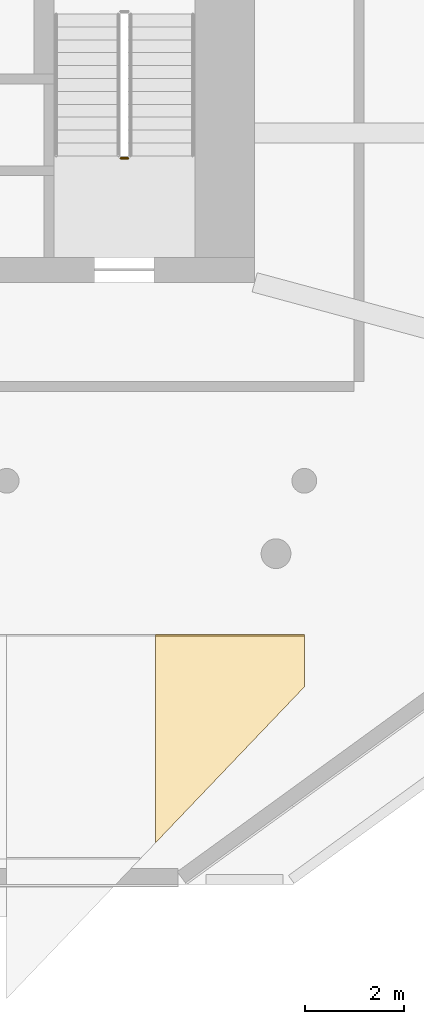
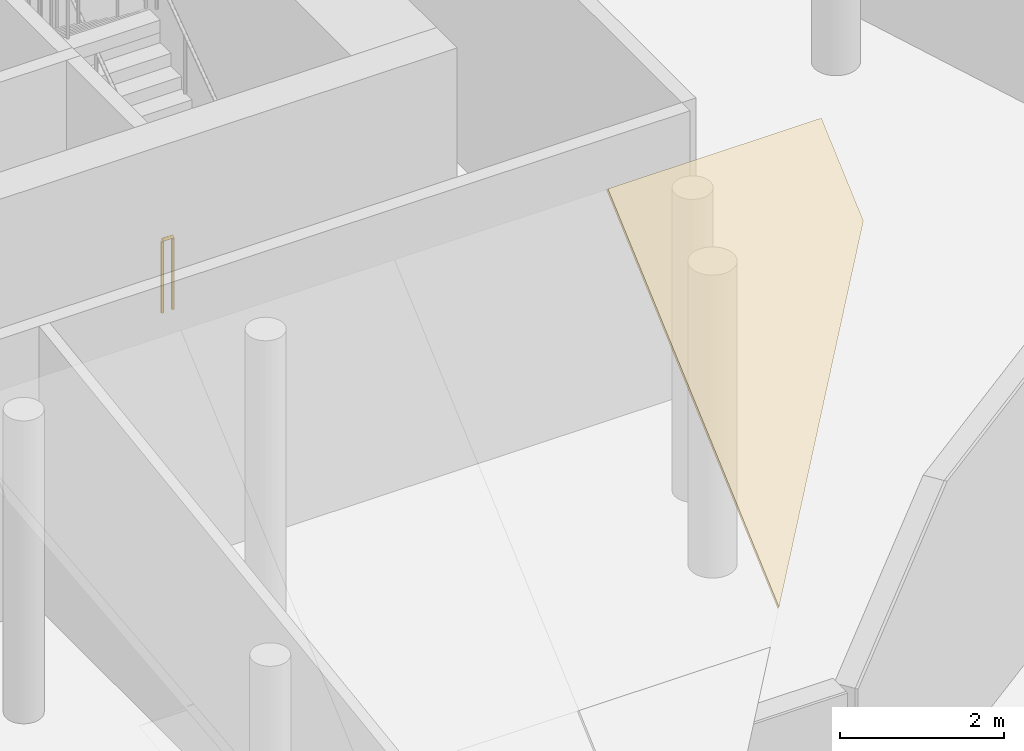
# One storey, part 5 of 7: 1 covering, 1 railing.
"""IFC4 building model written with IfcOpenShell, lengths in metres."""

from ifc_helpers import new_model, si_unit, direction, frame, origin, origin_2d, place, context, subcontext, project, spatial, polyline, circle, outline, extrude, material, layer, layer_set, type_object, element, save


model = new_model("IFC4")

# Units and contexts
model_context = context("Model", 3, precision=1e-05, world=origin(), true_north=direction((0.0, 1.0)))
body_context = subcontext(model_context, "Body", "Model", "MODEL_VIEW")
ifc_project = project(units=[si_unit("LENGTHUNIT", "METRE"), si_unit("AREAUNIT", "SQUARE_METRE"), si_unit("VOLUMEUNIT", "CUBIC_METRE"), si_unit("PLANEANGLEUNIT", "RADIAN"), si_unit("MASSUNIT", "GRAM", prefix="KILO")], contexts=[model_context])

# Site, building, storey
site_placement = place(None, origin())
site = spatial("IfcSite", under=ifc_project, at=site_placement, CompositionType="ELEMENT")
building_placement = place(site_placement, origin())
building = spatial("IfcBuilding", under=site, at=building_placement, Name="White Candle Pilgrim Tower", CompositionType="ELEMENT")
storey_placement = place(building_placement, frame((0.0, 0.0, 333.199951171875)))
storey = spatial("IfcBuildingStorey", under=building, at=storey_placement, Name="L78", CompositionType="ELEMENT", Elevation=333.199951171875)

# Covering
ifc_material_1 = material(Name="Zinc standing seam")
ifc_layer = layer(ifc_material_1, 0.050048828125)
ifc_layer_set = layer_set([ifc_layer], Name="Roof covering CL2 zinc standing seam 50")
covering_type = type_object("IfcCoveringType", Name="Roof covering CL2 zinc standing seam 50", PredefinedType="ROOFING", material=ifc_layer_set)
covering_placement = place(storey_placement, frame((79.0, 63.867919921875, 7.4326171875), z_axis=(4.4895657e-05, -0.662943312915, 0.748669594578), x_axis=(0.999999998992, 2.9763275e-05, -3.3612013e-05)))
element("IfcCovering", 1, at=covering_placement, inside=storey, type_object=covering_type, Name="Roof covering 19", PredefinedType="ROOFING", context=body_context, shape_type="SweptSolid", body=[
    extrude(outline(polyline([(0.0, 0.0), (2.99999999697657, 1.0164395367051604e-20), (2.9999999988905532, -1.3676981810235604), (2.5776367220276466, -1.9586682310830144), (2.1003417965789213, -2.626439607735187), (1.6230468711301966, -3.2942109843873597), (1.14575195388753, -3.96214421243445), (0.6684570284388053, -4.629915589086622), (0.19116210299008052, -5.297686965738794), (-7.062456749084255e-09, -5.565071222045936), (0.0, 0.0)])), origin(), (0.0, 0.0, -1.0), 0.050048828125),
])

# Railing
ifc_material_2 = material(Name="Stainless steel", Category="steel")
railing_type = type_object("IfcRailingType", Name="Stair guard stainless steel 1100 mm", PredefinedType="GUARDRAIL", material=ifc_material_2)
railing_placement = place(storey_placement, frame((78.449951171875, 73.5, 0.0)))
element("IfcRailing", 2, at=railing_placement, inside=storey, type_object=railing_type, Name="L78 ST2 stair guard 4", PredefinedType="GUARDRAIL", context=body_context, shape_type="SweptSolid", body=[
    extrude(circle(Radius=0.02392578125, at=origin_2d()), frame((0.0, 0.0, 1.076171875), z_axis=(-1.0, 0.0, 0.0), x_axis=(0.0, -1.0, 0.0)), (0.0, 0.0, 1.0), 0.14990234375),
    extrude(circle(Radius=0.02099609375, at=origin_2d()), origin(), (0.0, 0.0, 1.0), 1.052001953125),
    extrude(circle(Radius=0.02099609375, at=origin_2d()), frame((-0.14990234375, 0.0, 0.0)), (0.0, 0.0, 1.0), 1.052001953125),
])

save(model, "model.ifc")
